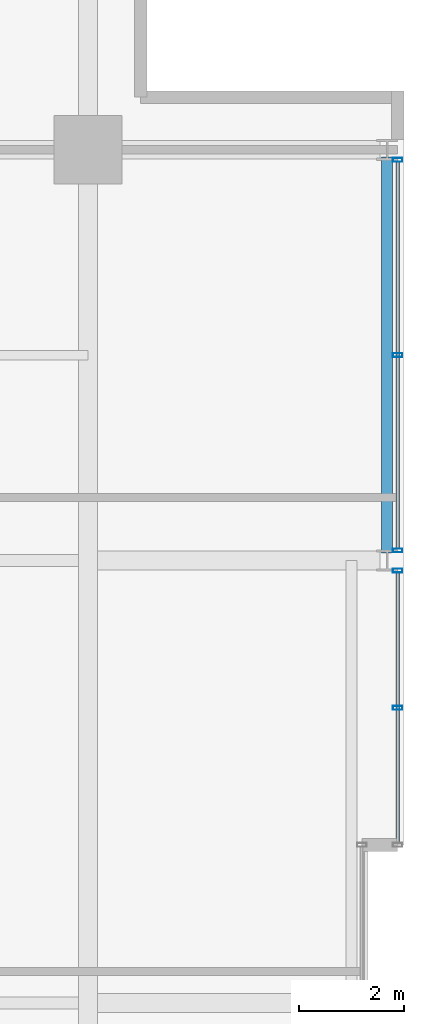
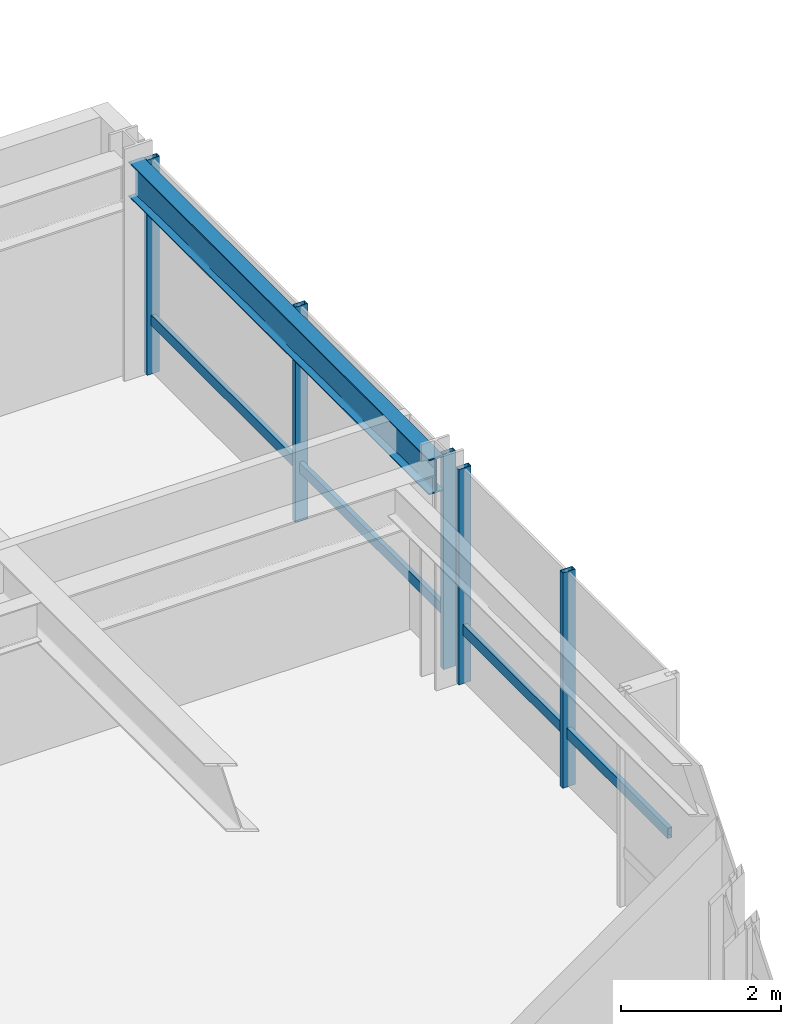
# One storey, part 22 of 32: 7 members, 1 beam, 2 elements without a shape of their own.
"""IFC4 building model written with IfcOpenShell, lengths in metres."""

from ifc_helpers import new_model, si_unit, direction, frame, origin, origin_2d, place, context, subcontext, project, spatial, hollow_rectangle, i_section, extrude, material, layer, layer_set, material_profile, profile_set, type_object, element, aggregate, save


model = new_model("IFC4")

# Units and contexts
model_context = context("Model", 3, precision=1e-05, world=origin(), true_north=direction((0.0, 1.0)))
body_context = subcontext(model_context, "Body", "Model", "MODEL_VIEW")
ifc_project = project(units=[si_unit("LENGTHUNIT", "METRE"), si_unit("AREAUNIT", "SQUARE_METRE"), si_unit("VOLUMEUNIT", "CUBIC_METRE"), si_unit("PLANEANGLEUNIT", "RADIAN"), si_unit("MASSUNIT", "GRAM", prefix="KILO")], contexts=[model_context])

# Site, building, storey
site_placement = place(None, origin())
site = spatial("IfcSite", under=ifc_project, at=site_placement, CompositionType="ELEMENT")
building_placement = place(site_placement, origin())
building = spatial("IfcBuilding", under=site, at=building_placement, Name="Drelvath Grand Hotel", CompositionType="ELEMENT")
storey_placement = place(building_placement, frame((0.0, 0.0, 182.35009765625)))
storey = spatial("IfcBuildingStorey", under=building, at=storey_placement, Name="L47", CompositionType="ELEMENT", Elevation=182.35009765625)

# Curtain wall, member
ifc_material_1 = material(Name="Brushed Pale-Silver Anodised Aluminium Frame", Category="aluminium")
ifc_layer = layer(ifc_material_1, 0.199951171875)
ifc_layer_set = layer_set([ifc_layer], Name="Brushed Pale-Silver Anodised Aluminium Frame")
curtain_wall_type = type_object("IfcCurtainWallType", Name="Stick Curtain Wall CW-04 Brushed Silver Upper-Mid", PredefinedType="NOTDEFINED", material=ifc_layer_set)
curtain_wall_1_placement = place(storey_placement, origin())
curtain_wall_1 = element("IfcCurtainWall", 1, at=curtain_wall_1_placement, inside=storey, type_object=curtain_wall_type, Name="L47 CW-04 Curtain Wall CW04-L47-EN1", PredefinedType="NOTDEFINED")
ifc_material_profile_1 = material_profile(ifc_material_1, hollow_rectangle(XDim=0.06494140625, YDim=0.159912109375, WallThickness=0.00390625, at=origin_2d()), Name="HSS160X65X4")
ifc_profile_set_1 = profile_set([ifc_material_profile_1], Name="Brushed Pale-Silver Anodised Aluminium Frame")
member_type_1 = type_object("IfcMemberType", Name="Curtain Wall Horizontal Transom CW-04 HSS160X65X4", PredefinedType="USERDEFINED", material=ifc_profile_set_1)
member_1_placement = place(storey_placement, frame((22.080078125, 35.16845703125, 0.822509765625), z_axis=(0.0, -1.0, 0.0), x_axis=(1.0, 0.0, 0.0)))
member_1 = element("IfcMember", 2, at=member_1_placement, type_object=member_type_1, Name="CW04-L47-EN1 Sill Transom", ObjectType="TRANSOM", PredefinedType="USERDEFINED", context=body_context, shape_type="SweptSolid", body=[
    extrude(hollow_rectangle(XDim=0.06494140625, YDim=0.159912109375, WallThickness=0.00390625, at=origin_2d()), origin(), (0.0, 0.0, 1.0), 5.12841796875),
])

curtain_wall_2_placement = place(storey_placement, origin())
curtain_wall_2 = element("IfcCurtainWall", 3, at=curtain_wall_2_placement, inside=storey, type_object=curtain_wall_type, Name="L47 CW-04 Curtain Wall CW04-L47-EN2", PredefinedType="NOTDEFINED")
member_2_placement = place(storey_placement, frame((22.080078125, 42.968505859375, 0.822509765625), z_axis=(0.0, -1.0, 0.0), x_axis=(1.0, 0.0, 0.0)))
member_2 = element("IfcMember", 4, at=member_2_placement, type_object=member_type_1, Name="CW04-L47-EN2 Sill Transom", ObjectType="TRANSOM", PredefinedType="USERDEFINED", context=body_context, shape_type="SweptSolid", body=[
    extrude(hollow_rectangle(XDim=0.06494140625, YDim=0.159912109375, WallThickness=0.00390625, at=origin_2d()), origin(), (0.0, 0.0, 1.0), 7.3369140625),
])

# Member
ifc_material_profile_2 = material_profile(ifc_material_1, hollow_rectangle(XDim=0.074951171875, YDim=0.179931640625, WallThickness=0.0048828125, at=origin_2d()), Name="HSS180X75X5")
ifc_profile_set_2 = profile_set([ifc_material_profile_2], Name="Brushed Pale-Silver Anodised Aluminium Frame")
member_type_2 = type_object("IfcMemberType", Name="Curtain Wall Vertical Mullion CW-04 HSS180X75X5", PredefinedType="MULLION", material=ifc_profile_set_2)
member_3_placement = place(storey_placement, frame((22.080078125, 35.20849609375, 0.0), z_axis=(0.0, 0.0, 1.0), x_axis=(0.0, 1.0, 0.0)))
member_3 = element("IfcMember", 5, at=member_3_placement, type_object=member_type_2, Name="CW04-L47-EN1 Mullion 1", PredefinedType="MULLION", context=body_context, shape_type="SweptSolid", body=[
    extrude(hollow_rectangle(XDim=0.074951171875, YDim=0.179931640625, WallThickness=0.0048828125, at=origin_2d()), origin(), (0.0, 0.0, 1.0), 3.289794921875),
])

member_4_placement = place(storey_placement, frame((22.080078125, 32.604248046875, 0.0), z_axis=(0.0, 0.0, 1.0), x_axis=(0.0, 1.0, 0.0)))
member_4 = element("IfcMember", 6, at=member_4_placement, type_object=member_type_2, Name="CW04-L47-EN1 Mullion 2", PredefinedType="MULLION", context=body_context, shape_type="SweptSolid", body=[
    extrude(hollow_rectangle(XDim=0.074951171875, YDim=0.179931640625, WallThickness=0.0048828125, at=origin_2d()), origin(), (0.0, 0.0, 1.0), 3.289794921875),
])

aggregate(curtain_wall_1, [member_3, member_4, member_1])

member_5_placement = place(storey_placement, frame((22.080078125, 43.00830078125, 0.0), z_axis=(0.0, 0.0, 1.0), x_axis=(0.0, 1.0, 0.0)))
member_5 = element("IfcMember", 7, at=member_5_placement, type_object=member_type_2, Name="CW04-L47-EN2 Mullion 1", PredefinedType="MULLION", context=body_context, shape_type="SweptSolid", body=[
    extrude(hollow_rectangle(XDim=0.074951171875, YDim=0.179931640625, WallThickness=0.0048828125, at=origin_2d()), origin(), (0.0, 0.0, 1.0), 3.289794921875),
])

member_6_placement = place(storey_placement, frame((22.080078125, 39.300048828125, 0.0), z_axis=(0.0, 0.0, 1.0), x_axis=(0.0, 1.0, 0.0)))
member_6 = element("IfcMember", 8, at=member_6_placement, type_object=member_type_2, Name="CW04-L47-EN2 Mullion 2", PredefinedType="MULLION", context=body_context, shape_type="SweptSolid", body=[
    extrude(hollow_rectangle(XDim=0.074951171875, YDim=0.179931640625, WallThickness=0.0048828125, at=origin_2d()), origin(), (0.0, 0.0, 1.0), 3.289794921875),
])

member_7_placement = place(storey_placement, frame((22.080078125, 35.591552734375, 0.0), z_axis=(0.0, 0.0, 1.0), x_axis=(0.0, 1.0, 0.0)))
member_7 = element("IfcMember", 9, at=member_7_placement, type_object=member_type_2, Name="CW04-L47-EN2 Mullion 3", PredefinedType="MULLION", context=body_context, shape_type="SweptSolid", body=[
    extrude(hollow_rectangle(XDim=0.074951171875, YDim=0.179931640625, WallThickness=0.0048828125, at=origin_2d()), origin(), (0.0, 0.0, 1.0), 3.289794921875),
])

aggregate(curtain_wall_2, [member_5, member_6, member_7, member_2])

# Beam
ifc_material_2 = material(Name="Steel ASTM A992 Gr 50", Category="steel")
ifc_material_profile_3 = material_profile(ifc_material_2, i_section(OverallWidth=0.210205078125, OverallDepth=0.53662109375, WebThickness=0.010986328125, FlangeThickness=0.017333984375, FilletRadius=0.01806640625, at=origin_2d()), Name="W21X68")
ifc_profile_set_3 = profile_set([ifc_material_profile_3], Name="Steel ASTM A992 Gr 50")
beam_type = type_object("IfcBeamType", Name="Perimeter Spandrel Beam W21X68", PredefinedType="SPANDREL", material=ifc_profile_set_3)
beam_placement = place(storey_placement, frame((21.8798828125, 35.5400390625, 3.021484375), z_axis=(0.0, 1.0, 0.0), x_axis=(-1.0, 0.0, 0.0)))
element("IfcBeam", 10, at=beam_placement, inside=storey, type_object=beam_type, Name="L47 Spandrel East N", PredefinedType="SPANDREL", context=body_context, shape_type="SweptSolid", body=[
    extrude(i_section(OverallWidth=0.210205078125, OverallDepth=0.53662109375, WebThickness=0.010986328125, FlangeThickness=0.017333984375, FilletRadius=0.01806640625, at=origin_2d()), origin(), (0.0, 0.0, 1.0), 7.52001953125),
])

save(model, "model.ifc")
